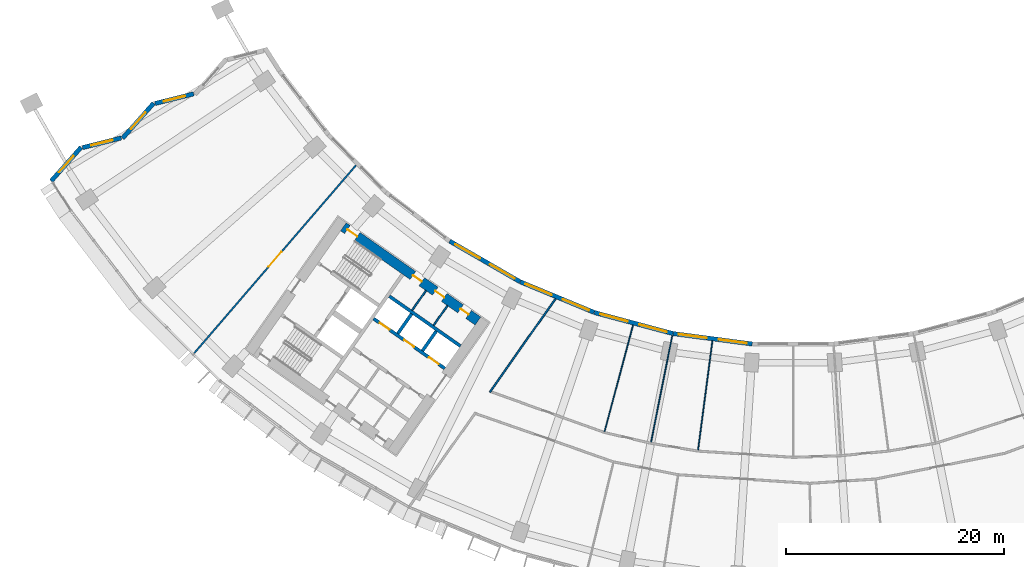
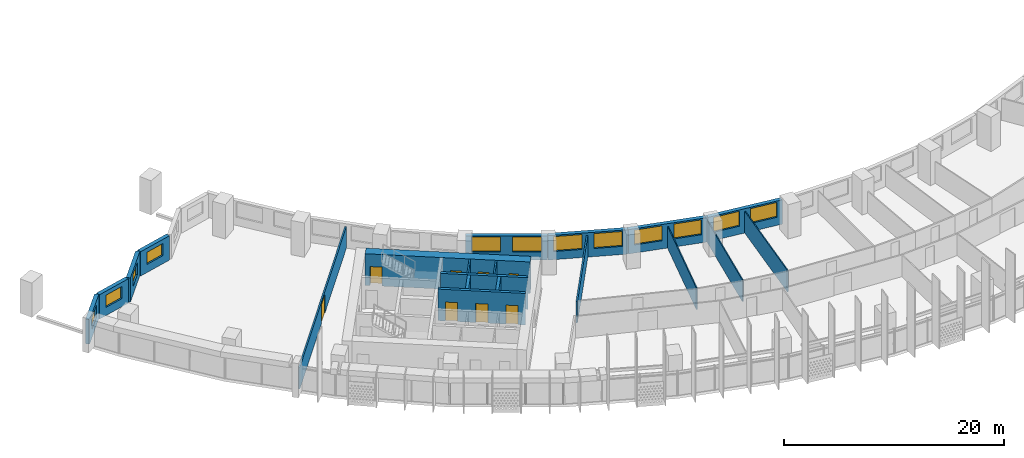
# One storey, part 4 of 33: 20 walls, 12 windows, 8 doors, 20 openings.
"""IFC4 building model written with IfcOpenShell, lengths in metres."""

from ifc_helpers import new_model, si_unit, direction, frame, frame_2d, origin, place, context, subcontext, project, spatial, rectangle, extrude, material, layer, layer_set, type_object, element, fill, save


model = new_model("IFC4")

# Units and contexts
model_context = context("Model", 3, precision=1e-05, world=origin(), true_north=direction((0.0, 1.0)))
body_context = subcontext(model_context, "Body", "Model", "MODEL_VIEW")
ifc_project = project(units=[si_unit("LENGTHUNIT", "METRE"), si_unit("AREAUNIT", "SQUARE_METRE"), si_unit("VOLUMEUNIT", "CUBIC_METRE"), si_unit("PLANEANGLEUNIT", "RADIAN"), si_unit("MASSUNIT", "GRAM", prefix="KILO")], contexts=[model_context])

# Site, building, storey
site_placement = place(None, origin())
site = spatial("IfcSite", under=ifc_project, at=site_placement, CompositionType="ELEMENT")
building_placement = place(site_placement, origin())
building = spatial("IfcBuilding", under=site, at=building_placement, Name="Qamariyya Broadcast Tower", CompositionType="ELEMENT")
storey_placement = place(building_placement, frame((0.0, 0.0, 78.5)))
storey = spatial("IfcBuildingStorey", under=building, at=storey_placement, Name="L16", CompositionType="ELEMENT", Elevation=78.5)

# Wall, openings, doors
ifc_material_1 = material(Name="Concrete C70/85", Category="concrete")
ifc_layer_1 = layer(ifc_material_1, 0.89990234375)
ifc_layer_set_1 = layer_set([ifc_layer_1], Name="Core wall 900 mm Concrete C70/85")
wall_type_1 = type_object("IfcWallType", Name="Core wall 900 mm Concrete C70/85", PredefinedType="SHEAR", material=ifc_layer_set_1)
wall_1_placement = place(storey_placement, frame((-28.8544921875, -54.32421875, 0.0), z_axis=(0.0, 0.0, 1.0), x_axis=(-0.819145767589, 0.573585400304, 0.0)))
wall_1 = element("IfcWall", 1, at=wall_1_placement, inside=storey, type_object=wall_type_1, Name="k-W-L16-WI", PredefinedType="SHEAR", context=body_context, shape_type="SweptSolid", body=[
    extrude(rectangle(XDim=15.04541015625, YDim=0.89990234375, at=frame_2d((7.522705078125, 0.0))), origin(), (0.0, 0.0, 1.0), 3.5),
])
opening_1_placement = place(wall_1_placement, frame((1.050048828125, 0.0, 0.0)))
opening_1 = element("IfcOpeningElement", 2, at=opening_1_placement, cuts=wall_1, Name="Opening KD5-W1", PredefinedType="OPENING", context=body_context, shape_type="SweptSolid", body=[
    extrude(rectangle(XDim=0.89990234375, YDim=2.10009765625, at=frame_2d((0.449951171875, 1.050048828125))), frame((0.0, 0.4599609375, 0.0), z_axis=(0.0, -1.0, 0.0), x_axis=(1.0, 0.0, 0.0)), (0.0, 0.0, 1.0), 0.919921875),
])
opening_2_placement = place(wall_1_placement, frame((3.77490234375, 0.0, 0.0)))
opening_2 = element("IfcOpeningElement", 3, at=opening_2_placement, cuts=wall_1, Name="Opening KD7-W1", PredefinedType="OPENING", context=body_context, shape_type="SweptSolid", body=[
    extrude(rectangle(XDim=1.0, YDim=2.10009765625, at=frame_2d((0.5, 1.050048828125))), frame((0.0, 0.4599609375, 0.0), z_axis=(0.0, -1.0, 0.0), x_axis=(1.0, 0.0, 0.0)), (0.0, 0.0, 1.0), 0.919921875),
])
opening_3_placement = place(wall_1_placement, frame((6.27490234375, 0.0, 0.0)))
opening_3 = element("IfcOpeningElement", 4, at=opening_3_placement, cuts=wall_1, Name="Opening KD6-W4", PredefinedType="OPENING", context=body_context, shape_type="SweptSolid", body=[
    extrude(rectangle(XDim=1.0, YDim=2.10009765625, at=frame_2d((0.5, 1.050048828125))), frame((0.0, 0.4599609375, 0.0), z_axis=(0.0, -1.0, 0.0), x_axis=(1.0, 0.0, 0.0)), (0.0, 0.0, 1.0), 0.919921875),
])
opening_4_placement = place(wall_1_placement, frame((13.495361328125, 0.0, 0.0)))
opening_4 = element("IfcOpeningElement", 5, at=opening_4_placement, cuts=wall_1, Name="Opening KD1-W1", PredefinedType="OPENING", context=body_context, shape_type="SweptSolid", body=[
    extrude(rectangle(XDim=1.10009765625, YDim=2.10009765625, at=frame_2d((0.550048828125, 1.050048828125))), frame((0.0, 0.4599609375, 0.0), z_axis=(0.0, -1.0, 0.0), x_axis=(1.0, 0.0, 0.0)), (0.0, 0.0, 1.0), 0.919921875),
])
ifc_material_2 = material(Name="Steel fire-resisting door leaf", Category="steel")
door_type_1 = type_object("IfcDoorType", Name="Accessible toilet door KD7", OperationType="SINGLE_SWING_LEFT", PredefinedType="DOOR", material=ifc_material_2)
door_1_placement = place(opening_2_placement, origin())
door_1 = element("IfcDoor", 6, at=door_1_placement, inside=storey, type_object=door_type_1, Name="k-W-L16-WI-D9", OperationType="SINGLE_SWING_RIGHT", OverallHeight=2.10009765625, OverallWidth=1.0, PredefinedType="DOOR", context=body_context, shape_type="SweptSolid", body=[
    extrude(rectangle(XDim=1.0, YDim=2.10009765625, at=frame_2d((0.5, 1.050048828125))), frame((0.0, 0.02490234375, 0.0), z_axis=(0.0, -1.0, 0.0), x_axis=(1.0, 0.0, 0.0)), (0.0, 0.0, 1.0), 0.050048828125),
])
fill(opening_2, door_1)
door_type_2 = type_object("IfcDoorType", Name="Core room door KD6", OperationType="SINGLE_SWING_LEFT", PredefinedType="DOOR", material=ifc_material_2)
door_2_placement = place(opening_3_placement, origin())
door_2 = element("IfcDoor", 7, at=door_2_placement, inside=storey, type_object=door_type_2, Name="k-W-L16-WI-D10", OperationType="SINGLE_SWING_LEFT", OverallHeight=2.10009765625, OverallWidth=1.0, PredefinedType="DOOR", context=body_context, shape_type="SweptSolid", body=[
    extrude(rectangle(XDim=1.0, YDim=2.10009765625, at=frame_2d((0.5, 1.050048828125))), frame((0.0, 0.02490234375, 0.0), z_axis=(0.0, -1.0, 0.0), x_axis=(1.0, 0.0, 0.0)), (0.0, 0.0, 1.0), 0.050048828125),
])
fill(opening_3, door_2)
door_type_3 = type_object("IfcDoorType", Name="Stair door KD1", OperationType="SINGLE_SWING_LEFT", PredefinedType="DOOR", material=ifc_material_2)
door_3_placement = place(opening_4_placement, origin())
door_3 = element("IfcDoor", 8, at=door_3_placement, inside=storey, type_object=door_type_3, Name="k-W-L16-WI-D17", OperationType="SINGLE_SWING_RIGHT", OverallHeight=2.10009765625, OverallWidth=1.10009765625, PredefinedType="DOOR", context=body_context, shape_type="SweptSolid", body=[
    extrude(rectangle(XDim=1.10009765625, YDim=2.10009765625, at=frame_2d((0.550048828125, 1.050048828125))), frame((0.0, 0.02490234375, 0.0), z_axis=(0.0, -1.0, 0.0), x_axis=(1.0, 0.0, 0.0)), (0.0, 0.0, 1.0), 0.050048828125),
])
fill(opening_4, door_3)
door_type_4 = type_object("IfcDoorType", Name="Toilet door KD5", OperationType="SINGLE_SWING_LEFT", PredefinedType="DOOR", material=ifc_material_2)
door_4_placement = place(opening_1_placement, origin())
door_4 = element("IfcDoor", 9, at=door_4_placement, inside=storey, type_object=door_type_4, Name="k-W-L16-WI-D8", OperationType="SINGLE_SWING_LEFT", OverallHeight=2.10009765625, OverallWidth=0.89990234375, PredefinedType="DOOR", context=body_context, shape_type="SweptSolid", body=[
    extrude(rectangle(XDim=0.89990234375, YDim=2.10009765625, at=frame_2d((0.449951171875, 1.050048828125))), frame((0.0, 0.02490234375, 0.0), z_axis=(0.0, -1.0, 0.0), x_axis=(1.0, 0.0, 0.0)), (0.0, 0.0, 1.0), 0.050048828125),
])
fill(opening_1, door_4)

# Wall, opening, door
ifc_material_3 = material(Name="Gypsum board partition")
ifc_layer_2 = layer(ifc_material_3, 0.14990234375)
ifc_layer_set_2 = layer_set([ifc_layer_2], Name="Corridor partition 150 EI 60")
wall_type_2 = type_object("IfcWallType", Name="Corridor partition 150 EI 60", PredefinedType="PARTITIONING", material=ifc_layer_set_2)
wall_2_placement = place(storey_placement, frame((-54.842041015625, -57.27685546875, 0.0), z_axis=(0.0, 0.0, 1.0), x_axis=(0.652471531746, 0.757813235739, 0.0)))
wall_2 = element("IfcWall", 10, at=wall_2_placement, inside=storey, type_object=wall_type_2, Name="Partition L16-001", PredefinedType="PARTITIONING", context=body_context, shape_type="SweptSolid", body=[
    extrude(rectangle(XDim=22.71484375, YDim=0.14990234375, at=frame_2d((11.357421875, 0.0))), origin(), (0.0, 0.0, 1.0), 2.39990234375),
])
opening_5_placement = place(wall_2_placement, frame((10.45751953125, 0.0, 0.0)))
opening_5 = element("IfcOpeningElement", 11, at=opening_5_placement, cuts=wall_2, Name="Opening L16-D14", PredefinedType="OPENING", context=body_context, shape_type="SweptSolid", body=[
    extrude(rectangle(XDim=1.800048828125, YDim=2.10009765625, at=frame_2d((0.89990234375, 1.050048828125))), frame((0.0, 0.0849609375, 0.0), z_axis=(0.0, -1.0, 0.0), x_axis=(1.0, 0.0, 0.0)), (0.0, 0.0, 1.0), 0.169921875),
])
ifc_material_4 = material(Name="Timber fire door leaf", Category="wood")
door_type_5 = type_object("IfcDoorType", Name="Double fire door 1800 x 2100 FD60", OperationType="NOTDEFINED", PredefinedType="DOOR", material=ifc_material_4)
door_5_placement = place(opening_5_placement, origin())
door_5 = element("IfcDoor", 12, at=door_5_placement, inside=storey, type_object=door_type_5, Name="Door L16-D14", OperationType="DOUBLE_DOOR_SINGLE_SWING", OverallHeight=2.10009765625, OverallWidth=1.800048828125, PredefinedType="DOOR", context=body_context, shape_type="SweptSolid", body=[
    extrude(rectangle(XDim=1.800048828125, YDim=2.10009765625, at=frame_2d((0.89990234375, 1.050048828125))), frame((0.0, 0.02490234375, 0.0), z_axis=(0.0, -1.0, 0.0), x_axis=(1.0, 0.0, 0.0)), (0.0, 0.0, 1.0), 0.050048828125),
])
fill(opening_5, door_5)

# Walls
wall_3_placement = place(storey_placement, frame((-21.748291015625, -52.2763671875, 0.0), z_axis=(0.0, 0.0, 1.0), x_axis=(-0.575419434668, -0.817858468322, 0.0)))
element("IfcWall", 13, at=wall_3_placement, inside=storey, type_object=wall_type_2, Name="Partition L16-005", PredefinedType="PARTITIONING", context=body_context, shape_type="SweptSolid", body=[
    extrude(rectangle(XDim=10.46484375, YDim=0.14990234375, at=frame_2d((5.232421875, 0.0))), origin(), (0.0, 0.0, 1.0), 2.39990234375),
])
ifc_material_5 = material(Name="Gypsum board partition on steel studs", Category="steel")
ifc_layer_3 = layer(ifc_material_5, 0.14990234375)
ifc_layer_set_3 = layer_set([ifc_layer_3], Name="Gypsum board partition 150 mm")
wall_type_3 = type_object("IfcWallType", Name="Gypsum board partition 150 mm", PredefinedType="PARTITIONING", material=ifc_layer_set_3)
wall_4_placement = place(storey_placement, frame((-32.9140625, -54.716796875, 0.0), z_axis=(0.0, 0.0, 1.0), x_axis=(0.573581496053, 0.819148501424, 0.0)))
element("IfcWall", 14, at=wall_4_placement, inside=storey, type_object=wall_type_3, Name="k-W-L16-NP310", PredefinedType="PARTITIONING", context=body_context, shape_type="SweptSolid", body=[
    extrude(rectangle(XDim=2.2001953125, YDim=0.14990234375, at=frame_2d((1.10009765625, 0.0))), origin(), (0.0, 0.0, 1.0), 3.5),
])
wall_5_placement = place(storey_placement, frame((-34.8798828125, -53.340087890625, 0.0), z_axis=(0.0, 0.0, 1.0), x_axis=(0.573559170999, 0.819164133348, 0.0)))
element("IfcWall", 15, at=wall_5_placement, inside=storey, type_object=wall_type_3, Name="k-W-L16-NP550", PredefinedType="PARTITIONING", context=body_context, shape_type="SweptSolid", body=[
    extrude(rectangle(XDim=2.19970703125, YDim=0.14990234375, at=frame_2d((1.099853515625, 0.0))), origin(), (0.0, 0.0, 1.0), 3.5),
])

# Wall, openings, doors
ifc_material_6 = material(Name="Concrete C60/75", Category="concrete")
ifc_layer_4 = layer(ifc_material_6, 0.300048828125)
ifc_layer_set_4 = layer_set([ifc_layer_4], Name="Lift shaft wall 300 mm Concrete C60/75")
wall_type_4 = type_object("IfcWallType", Name="Lift shaft wall 300 mm Concrete C60/75", PredefinedType="SOLIDWALL", material=ifc_layer_set_4)
wall_6_placement = place(storey_placement, frame((-31.89453125, -58.66552734375, 0.0), z_axis=(0.0, 0.0, 1.0), x_axis=(-0.819166993208, 0.573555086491, 0.0)))
wall_6 = element("IfcWall", 16, at=wall_6_placement, inside=storey, type_object=wall_type_4, Name="k-W-L16-NF0", PredefinedType="SOLIDWALL", context=body_context, shape_type="SweptSolid", body=[
    extrude(rectangle(XDim=7.9501953125, YDim=0.300048828125, at=frame_2d((3.97509765625, 0.0))), origin(), (0.0, 0.0, 1.0), 3.5),
])
opening_6_placement = place(wall_6_placement, frame((0.675048828125, 0.0, 0.0)))
opening_6 = element("IfcOpeningElement", 17, at=opening_6_placement, cuts=wall_6, Name="Opening LD", PredefinedType="OPENING", context=body_context, shape_type="SweptSolid", body=[
    extrude(rectangle(XDim=1.10009765625, YDim=2.10009765625, at=frame_2d((0.550048828125, 1.050048828125))), frame((0.0, 0.159912109375, 0.0), z_axis=(0.0, -1.0, 0.0), x_axis=(1.0, 0.0, 0.0)), (0.0, 0.0, 1.0), 0.320068359375),
])
opening_7_placement = place(wall_6_placement, frame((3.425048828125, 0.0, 0.0)))
opening_7 = element("IfcOpeningElement", 18, at=opening_7_placement, cuts=wall_6, Name="Opening LD", PredefinedType="OPENING", context=body_context, shape_type="SweptSolid", body=[
    extrude(rectangle(XDim=1.10009765625, YDim=2.10009765625, at=frame_2d((0.550048828125, 1.050048828125))), frame((0.0, 0.159912109375, 0.0), z_axis=(0.0, -1.0, 0.0), x_axis=(1.0, 0.0, 0.0)), (0.0, 0.0, 1.0), 0.320068359375),
])
opening_8_placement = place(wall_6_placement, frame((6.175048828125, 0.0, 0.0)))
opening_8 = element("IfcOpeningElement", 19, at=opening_8_placement, cuts=wall_6, Name="Opening LD", PredefinedType="OPENING", context=body_context, shape_type="SweptSolid", body=[
    extrude(rectangle(XDim=1.10009765625, YDim=2.10009765625, at=frame_2d((0.550048828125, 1.050048828125))), frame((0.0, 0.159912109375, 0.0), z_axis=(0.0, -1.0, 0.0), x_axis=(1.0, 0.0, 0.0)), (0.0, 0.0, 1.0), 0.320068359375),
])
door_type_6 = type_object("IfcDoorType", Name="Lift landing door LD", OperationType="DOUBLE_DOOR_SLIDING", PredefinedType="DOOR", material=ifc_material_2)
door_6_placement = place(opening_6_placement, origin())
door_6 = element("IfcDoor", 20, at=door_6_placement, inside=storey, type_object=door_type_6, Name="k-W-L16-NF0-D2", OperationType="DOUBLE_DOOR_SLIDING", OverallHeight=2.10009765625, OverallWidth=1.10009765625, PredefinedType="DOOR", context=body_context, shape_type="SweptSolid", body=[
    extrude(rectangle(XDim=1.10009765625, YDim=2.10009765625, at=frame_2d((0.550048828125, 1.050048828125))), frame((0.0, 0.02490234375, 0.0), z_axis=(0.0, -1.0, 0.0), x_axis=(1.0, 0.0, 0.0)), (0.0, 0.0, 1.0), 0.050048828125),
])
fill(opening_6, door_6)
door_7_placement = place(opening_7_placement, origin())
door_7 = element("IfcDoor", 21, at=door_7_placement, inside=storey, type_object=door_type_6, Name="k-W-L16-NF0-D3", OperationType="DOUBLE_DOOR_SLIDING", OverallHeight=2.10009765625, OverallWidth=1.10009765625, PredefinedType="DOOR", context=body_context, shape_type="SweptSolid", body=[
    extrude(rectangle(XDim=1.10009765625, YDim=2.10009765625, at=frame_2d((0.550048828125, 1.050048828125))), frame((0.0, 0.02490234375, 0.0), z_axis=(0.0, -1.0, 0.0), x_axis=(1.0, 0.0, 0.0)), (0.0, 0.0, 1.0), 0.050048828125),
])
fill(opening_7, door_7)
door_8_placement = place(opening_8_placement, origin())
door_8 = element("IfcDoor", 22, at=door_8_placement, inside=storey, type_object=door_type_6, Name="k-W-L16-NF0-D4", OperationType="DOUBLE_DOOR_SLIDING", OverallHeight=2.10009765625, OverallWidth=1.10009765625, PredefinedType="DOOR", context=body_context, shape_type="SweptSolid", body=[
    extrude(rectangle(XDim=1.10009765625, YDim=2.10009765625, at=frame_2d((0.550048828125, 1.050048828125))), frame((0.0, 0.02490234375, 0.0), z_axis=(0.0, -1.0, 0.0), x_axis=(1.0, 0.0, 0.0)), (0.0, 0.0, 1.0), 0.050048828125),
])
fill(opening_8, door_8)

# Walls
wall_7_placement = place(storey_placement, frame((-30.460693359375, -56.61767578125, 0.0), z_axis=(0.0, 0.0, 1.0), x_axis=(-0.819142461705, 0.573590121456, 0.0)))
element("IfcWall", 23, at=wall_7_placement, inside=storey, type_object=wall_type_4, Name="k-W-L16-NB0", PredefinedType="SOLIDWALL", context=body_context, shape_type="SweptSolid", body=[
    extrude(rectangle(XDim=7.949951171875, YDim=0.300048828125, at=frame_2d((3.97509765625, 0.0))), origin(), (0.0, 0.0, 1.0), 3.5),
])
wall_8_placement = place(storey_placement, frame((-33.9384765625, -57.051513671875, 0.0), z_axis=(0.0, 0.0, 1.0), x_axis=(0.573581496053, 0.819148501424, 0.0)))
element("IfcWall", 24, at=wall_8_placement, inside=storey, type_object=wall_type_4, Name="k-W-L16-ND0", PredefinedType="SOLIDWALL", context=body_context, shape_type="SweptSolid", body=[
    extrude(rectangle(XDim=2.2001953125, YDim=0.300048828125, at=frame_2d((1.10009765625, 0.0))), origin(), (0.0, 0.0, 1.0), 3.5),
])
wall_9_placement = place(storey_placement, frame((-36.19091796875, -55.47412109375, 0.0), z_axis=(0.0, 0.0, 1.0), x_axis=(0.573507030513, 0.819200638399, 0.0)))
element("IfcWall", 25, at=wall_9_placement, inside=storey, type_object=wall_type_4, Name="k-W-L16-ND1", PredefinedType="SOLIDWALL", context=body_context, shape_type="SweptSolid", body=[
    extrude(rectangle(XDim=2.199951171875, YDim=0.300048828125, at=frame_2d((1.10009765625, 0.0))), origin(), (0.0, 0.0, 1.0), 3.5),
])
ifc_layer_5 = layer(ifc_material_3, 0.10009765625)
ifc_layer_set_5 = layer_set([ifc_layer_5], Name="Partition 100")
wall_type_5 = type_object("IfcWallType", Name="Partition 100", PredefinedType="PARTITIONING", material=ifc_layer_set_5)
wall_10_placement = place(storey_placement, frame((-14.65673828125, -54.69970703125, 0.0), z_axis=(0.0, 0.0, 1.0), x_axis=(-0.258825935876, -0.965923979885, 0.0)))
element("IfcWall", 26, at=wall_10_placement, inside=storey, type_object=wall_type_5, Name="Partition L16-009", PredefinedType="PARTITIONING", context=body_context, shape_type="SweptSolid", body=[
    extrude(rectangle(XDim=10.095703125, YDim=0.10009765625, at=frame_2d((5.0478515625, 0.0))), origin(), (0.0, 0.0, 1.0), 2.39990234375),
])
wall_11_placement = place(storey_placement, frame((-11.0712890625, -55.65966796875, 0.0), z_axis=(0.0, 0.0, 1.0), x_axis=(-0.195094645032, -0.980784420492, 0.0)))
element("IfcWall", 27, at=wall_11_placement, inside=storey, type_object=wall_type_5, Name="Partition L16-012", PredefinedType="PARTITIONING", context=body_context, shape_type="SweptSolid", body=[
    extrude(rectangle(XDim=9.974853515625, YDim=0.10009765625, at=frame_2d((4.9873046875, 0.0))), origin(), (0.0, 0.0, 1.0), 2.39990234375),
])
wall_12_placement = place(storey_placement, frame((-7.3916015625, -56.144775390625, 0.0), z_axis=(0.0, 0.0, 1.0), x_axis=(-0.130538336764, -0.991443262439, 0.0)))
element("IfcWall", 28, at=wall_12_placement, inside=storey, type_object=wall_type_5, Name="Partition L16-015", PredefinedType="PARTITIONING", context=body_context, shape_type="SweptSolid", body=[
    extrude(rectangle(XDim=10.095703125, YDim=0.10009765625, at=frame_2d((5.0478515625, 0.0))), origin(), (0.0, 0.0, 1.0), 2.39990234375),
])

# Wall, opening, window
ifc_material_7 = material(Name="Terracotta", Category="masonry")
ifc_layer_6 = layer(ifc_material_7, 0.39990234375)
ifc_layer_set_6 = layer_set([ifc_layer_6], Name="Terracotta clad wall 400")
wall_type_6 = type_object("IfcWallType", Name="Terracotta clad wall 400", PredefinedType="SOLIDWALL", material=ifc_layer_set_6)
wall_13_placement = place(storey_placement, frame((-54.8818359375, -33.52490234375, 0.0), z_axis=(0.0, 0.0, 1.0), x_axis=(-0.969984807543, -0.243165526208, 0.0)))
wall_13 = element("IfcWall", 29, at=wall_13_placement, inside=storey, type_object=wall_type_6, Name="e-wl-L16-capW2", PredefinedType="SOLIDWALL", context=body_context, shape_type="SweptSolid", body=[
    extrude(rectangle(XDim=3.6474609375, YDim=0.39990234375, at=frame_2d((1.82373046875, 0.0))), origin(), (0.0, 0.0, 1.0), 2.699951171875),
])
opening_9_placement = place(wall_13_placement, frame((0.82373046875, 0.0, 0.89990234375)))
opening_9 = element("IfcOpeningElement", 30, at=opening_9_placement, cuts=wall_13, Name="Opening W4", PredefinedType="OPENING", context=body_context, shape_type="SweptSolid", body=[
    extrude(rectangle(XDim=2.0, YDim=1.35009765625, at=frame_2d((1.0, 0.675048828125))), frame((0.0, 0.2099609375, 0.0), z_axis=(0.0, -1.0, 0.0), x_axis=(1.0, 0.0, 0.0)), (0.0, 0.0, 1.0), 0.419921875),
])
ifc_material_8 = material(Name="Clear low-e double glazed unit in aluminium frame", Category="aluminium")
window_type_1 = type_object("IfcWindowType", Name="Horn bay window 2000 x 1350", PartitioningType="SINGLE_PANEL", PredefinedType="WINDOW", material=ifc_material_8)
window_1_placement = place(opening_9_placement, origin())
window_1 = element("IfcWindow", 31, at=window_1_placement, inside=storey, type_object=window_type_1, Name="e-w-L16-capW2", OverallHeight=1.35009765625, OverallWidth=2.0, PartitioningType="SINGLE_PANEL", PredefinedType="WINDOW", context=body_context, shape_type="SweptSolid", body=[
    extrude(rectangle(XDim=2.0, YDim=1.35009765625, at=frame_2d((1.0, 0.675048828125))), frame((0.0, 0.030029296875, 0.0), z_axis=(0.0, -1.0, 0.0), x_axis=(1.0, 0.0, 0.0)), (0.0, 0.0, 1.0), 0.06005859375),
])
fill(opening_9, window_1)

wall_14_placement = place(storey_placement, frame((-58.544189453125, -34.37890625, 0.0), z_axis=(0.0, 0.0, 1.0), x_axis=(-0.663756718881, -0.747948539767, 0.0)))
wall_14 = element("IfcWall", 32, at=wall_14_placement, inside=storey, type_object=wall_type_6, Name="e-wl-L16-capW3", PredefinedType="SOLIDWALL", context=body_context, shape_type="SweptSolid", body=[
    extrude(rectangle(XDim=4.294677734375, YDim=0.39990234375, at=frame_2d((2.1474609375, 0.0))), origin(), (0.0, 0.0, 1.0), 2.699951171875),
])
opening_10_placement = place(wall_14_placement, frame((1.147216796875, 0.0, 0.89990234375)))
opening_10 = element("IfcOpeningElement", 33, at=opening_10_placement, cuts=wall_14, Name="Opening W4", PredefinedType="OPENING", context=body_context, shape_type="SweptSolid", body=[
    extrude(rectangle(XDim=2.0, YDim=1.35009765625, at=frame_2d((1.0, 0.675048828125))), frame((0.0, 0.2099609375, 0.0), z_axis=(0.0, -1.0, 0.0), x_axis=(1.0, 0.0, 0.0)), (0.0, 0.0, 1.0), 0.419921875),
])
window_2_placement = place(opening_10_placement, origin())
window_2 = element("IfcWindow", 34, at=window_2_placement, inside=storey, type_object=window_type_1, Name="e-w-L16-capW3", OverallHeight=1.35009765625, OverallWidth=2.0, PartitioningType="SINGLE_PANEL", PredefinedType="WINDOW", context=body_context, shape_type="SweptSolid", body=[
    extrude(rectangle(XDim=2.0, YDim=1.35009765625, at=frame_2d((1.0, 0.675048828125))), frame((0.0, 0.030029296875, 0.0), z_axis=(0.0, -1.0, 0.0), x_axis=(1.0, 0.0, 0.0)), (0.0, 0.0, 1.0), 0.06005859375),
])
fill(opening_10, window_2)

wall_15_placement = place(storey_placement, frame((-61.51904296875, -37.558349609375, 0.0), z_axis=(0.0, 0.0, 1.0), x_axis=(-0.969988807302, -0.243149570652, 0.0)))
wall_15 = element("IfcWall", 35, at=wall_15_placement, inside=storey, type_object=wall_type_6, Name="e-wl-L16-capW4", PredefinedType="SOLIDWALL", context=body_context, shape_type="SweptSolid", body=[
    extrude(rectangle(XDim=3.64892578125, YDim=0.39990234375, at=frame_2d((1.824462890625, 0.0))), origin(), (0.0, 0.0, 1.0), 2.699951171875),
])
opening_11_placement = place(wall_15_placement, frame((0.824462890625, 0.0, 0.89990234375)))
opening_11 = element("IfcOpeningElement", 36, at=opening_11_placement, cuts=wall_15, Name="Opening W4", PredefinedType="OPENING", context=body_context, shape_type="SweptSolid", body=[
    extrude(rectangle(XDim=2.0, YDim=1.35009765625, at=frame_2d((1.0, 0.675048828125))), frame((0.0, 0.2099609375, 0.0), z_axis=(0.0, -1.0, 0.0), x_axis=(1.0, 0.0, 0.0)), (0.0, 0.0, 1.0), 0.419921875),
])
window_3_placement = place(opening_11_placement, origin())
window_3 = element("IfcWindow", 37, at=window_3_placement, inside=storey, type_object=window_type_1, Name="e-w-L16-capW4", OverallHeight=1.35009765625, OverallWidth=2.0, PartitioningType="SINGLE_PANEL", PredefinedType="WINDOW", context=body_context, shape_type="SweptSolid", body=[
    extrude(rectangle(XDim=2.0, YDim=1.35009765625, at=frame_2d((1.0, 0.675048828125))), frame((0.0, 0.030029296875, 0.0), z_axis=(0.0, -1.0, 0.0), x_axis=(1.0, 0.0, 0.0)), (0.0, 0.0, 1.0), 0.06005859375),
])
fill(opening_11, window_3)

wall_16_placement = place(storey_placement, frame((-65.182373046875, -38.412841796875, 0.0), z_axis=(0.0, 0.0, 1.0), x_axis=(-0.663705482517, -0.747994005642, 0.0)))
wall_16 = element("IfcWall", 38, at=wall_16_placement, inside=storey, type_object=wall_type_6, Name="e-wl-L16-capW5", PredefinedType="SOLIDWALL", context=body_context, shape_type="SweptSolid", body=[
    extrude(rectangle(XDim=4.12158203125, YDim=0.39990234375, at=frame_2d((2.060791015625, 0.0))), origin(), (0.0, 0.0, 1.0), 2.699951171875),
])
opening_12_placement = place(wall_16_placement, frame((1.060791015625, 0.0, 0.89990234375)))
opening_12 = element("IfcOpeningElement", 39, at=opening_12_placement, cuts=wall_16, Name="Opening W4", PredefinedType="OPENING", context=body_context, shape_type="SweptSolid", body=[
    extrude(rectangle(XDim=2.0, YDim=1.35009765625, at=frame_2d((1.0, 0.675048828125))), frame((0.0, 0.2099609375, 0.0), z_axis=(0.0, -1.0, 0.0), x_axis=(1.0, 0.0, 0.0)), (0.0, 0.0, 1.0), 0.419921875),
])
window_4_placement = place(opening_12_placement, origin())
window_4 = element("IfcWindow", 40, at=window_4_placement, inside=storey, type_object=window_type_1, Name="e-w-L16-capW5", OverallHeight=1.35009765625, OverallWidth=2.0, PartitioningType="SINGLE_PANEL", PredefinedType="WINDOW", context=body_context, shape_type="SweptSolid", body=[
    extrude(rectangle(XDim=2.0, YDim=1.35009765625, at=frame_2d((1.0, 0.675048828125))), frame((0.0, 0.030029296875, 0.0), z_axis=(0.0, -1.0, 0.0), x_axis=(1.0, 0.0, 0.0)), (0.0, 0.0, 1.0), 0.06005859375),
])
fill(opening_12, window_4)

# Wall, openings, windows
wall_17_placement = place(storey_placement, frame((-24.989990234375, -50.73095703125, 0.0), z_axis=(0.0, 0.0, 1.0), x_axis=(-0.866037641005, 0.499978803913, 0.0)))
wall_17 = element("IfcWall", 41, at=wall_17_placement, inside=storey, type_object=wall_type_6, Name="e-wl-L16-in40", PredefinedType="SOLIDWALL", context=body_context, shape_type="SweptSolid", body=[
    extrude(rectangle(XDim=7.447021484375, YDim=0.39990234375, at=frame_2d((3.7236328125, 0.0))), origin(), (0.0, 0.0, 1.0), 2.699951171875),
])
opening_13_placement = place(wall_17_placement, frame((4.266357421875, 0.0, 0.89990234375)))
opening_13 = element("IfcOpeningElement", 42, at=opening_13_placement, cuts=wall_17, Name="Opening W1", PredefinedType="OPENING", context=body_context, shape_type="SweptSolid", body=[
    extrude(rectangle(XDim=2.60009765625, YDim=1.64990234375, at=frame_2d((1.300048828125, 0.824951171875))), frame((0.0, 0.2099609375, 0.0), z_axis=(0.0, -1.0, 0.0), x_axis=(1.0, 0.0, 0.0)), (0.0, 0.0, 1.0), 0.419921875),
])
opening_14_placement = place(wall_17_placement, frame((0.580810546875, 0.0, 0.89990234375)))
opening_14 = element("IfcOpeningElement", 43, at=opening_14_placement, cuts=wall_17, Name="Opening W1", PredefinedType="OPENING", context=body_context, shape_type="SweptSolid", body=[
    extrude(rectangle(XDim=2.60009765625, YDim=1.64990234375, at=frame_2d((1.300048828125, 0.824951171875))), frame((0.0, 0.2099609375, 0.0), z_axis=(0.0, -1.0, 0.0), x_axis=(1.0, 0.0, 0.0)), (0.0, 0.0, 1.0), 0.419921875),
])
window_type_2 = type_object("IfcWindowType", Name="Ribbon window 2600 x 1650", PartitioningType="SINGLE_PANEL", PredefinedType="WINDOW", material=ifc_material_8)
window_5_placement = place(opening_13_placement, origin())
window_5 = element("IfcWindow", 44, at=window_5_placement, inside=storey, type_object=window_type_2, Name="e-w-L16-in04-0", OverallHeight=1.64990234375, OverallWidth=2.60009765625, PartitioningType="SINGLE_PANEL", PredefinedType="WINDOW", context=body_context, shape_type="SweptSolid", body=[
    extrude(rectangle(XDim=2.60009765625, YDim=1.64990234375, at=frame_2d((1.300048828125, 0.824951171875))), frame((0.0, 0.030029296875, 0.0), z_axis=(0.0, -1.0, 0.0), x_axis=(1.0, 0.0, 0.0)), (0.0, 0.0, 1.0), 0.06005859375),
])
fill(opening_13, window_5)
window_6_placement = place(opening_14_placement, origin())
window_6 = element("IfcWindow", 45, at=window_6_placement, inside=storey, type_object=window_type_2, Name="e-w-L16-in04-1", OverallHeight=1.64990234375, OverallWidth=2.60009765625, PartitioningType="SINGLE_PANEL", PredefinedType="WINDOW", context=body_context, shape_type="SweptSolid", body=[
    extrude(rectangle(XDim=2.60009765625, YDim=1.64990234375, at=frame_2d((1.300048828125, 0.824951171875))), frame((0.0, 0.030029296875, 0.0), z_axis=(0.0, -1.0, 0.0), x_axis=(1.0, 0.0, 0.0)), (0.0, 0.0, 1.0), 0.06005859375),
])
fill(opening_14, window_6)

wall_18_placement = place(storey_placement, frame((-18.224365234375, -53.52978515625, 0.0), z_axis=(0.0, 0.0, 1.0), x_axis=(-0.923891626322, 0.382654234018, 0.0)))
wall_18 = element("IfcWall", 46, at=wall_18_placement, inside=storey, type_object=wall_type_6, Name="e-wl-L16-in50", PredefinedType="SOLIDWALL", context=body_context, shape_type="SweptSolid", body=[
    extrude(rectangle(XDim=7.295654296875, YDim=0.39990234375, at=frame_2d((3.64794921875, 0.0))), origin(), (0.0, 0.0, 1.0), 2.699951171875),
])
opening_15_placement = place(wall_18_placement, frame((4.190673828125, 0.0, 0.89990234375)))
opening_15 = element("IfcOpeningElement", 47, at=opening_15_placement, cuts=wall_18, Name="Opening W1", PredefinedType="OPENING", context=body_context, shape_type="SweptSolid", body=[
    extrude(rectangle(XDim=2.60009765625, YDim=1.64990234375, at=frame_2d((1.300048828125, 0.824951171875))), frame((0.0, 0.2099609375, 0.0), z_axis=(0.0, -1.0, 0.0), x_axis=(1.0, 0.0, 0.0)), (0.0, 0.0, 1.0), 0.419921875),
])
opening_16_placement = place(wall_18_placement, frame((0.505126953125, 0.0, 0.89990234375)))
opening_16 = element("IfcOpeningElement", 48, at=opening_16_placement, cuts=wall_18, Name="Opening W1", PredefinedType="OPENING", context=body_context, shape_type="SweptSolid", body=[
    extrude(rectangle(XDim=2.60009765625, YDim=1.64990234375, at=frame_2d((1.300048828125, 0.824951171875))), frame((0.0, 0.2099609375, 0.0), z_axis=(0.0, -1.0, 0.0), x_axis=(1.0, 0.0, 0.0)), (0.0, 0.0, 1.0), 0.419921875),
])
window_7_placement = place(opening_15_placement, origin())
window_7 = element("IfcWindow", 49, at=window_7_placement, inside=storey, type_object=window_type_2, Name="e-w-L16-in05-0", OverallHeight=1.64990234375, OverallWidth=2.60009765625, PartitioningType="SINGLE_PANEL", PredefinedType="WINDOW", context=body_context, shape_type="SweptSolid", body=[
    extrude(rectangle(XDim=2.60009765625, YDim=1.64990234375, at=frame_2d((1.300048828125, 0.824951171875))), frame((0.0, 0.030029296875, 0.0), z_axis=(0.0, -1.0, 0.0), x_axis=(1.0, 0.0, 0.0)), (0.0, 0.0, 1.0), 0.06005859375),
])
fill(opening_15, window_7)
window_8_placement = place(opening_16_placement, origin())
window_8 = element("IfcWindow", 50, at=window_8_placement, inside=storey, type_object=window_type_2, Name="e-w-L16-in05-1", OverallHeight=1.64990234375, OverallWidth=2.60009765625, PartitioningType="SINGLE_PANEL", PredefinedType="WINDOW", context=body_context, shape_type="SweptSolid", body=[
    extrude(rectangle(XDim=2.60009765625, YDim=1.64990234375, at=frame_2d((1.300048828125, 0.824951171875))), frame((0.0, 0.030029296875, 0.0), z_axis=(0.0, -1.0, 0.0), x_axis=(1.0, 0.0, 0.0)), (0.0, 0.0, 1.0), 0.06005859375),
])
fill(opening_16, window_8)

wall_19_placement = place(storey_placement, frame((-11.00830078125, -55.47021484375, 0.0), z_axis=(0.0, 0.0, 1.0), x_axis=(-0.965924637935, 0.25882348006, 0.0)))
wall_19 = element("IfcWall", 51, at=wall_19_placement, inside=storey, type_object=wall_type_6, Name="e-wl-L16-in60", PredefinedType="SOLIDWALL", context=body_context, shape_type="SweptSolid", body=[
    extrude(rectangle(XDim=7.447021484375, YDim=0.39990234375, at=frame_2d((3.7236328125, 0.0))), origin(), (0.0, 0.0, 1.0), 2.699951171875),
])
opening_17_placement = place(wall_19_placement, frame((4.266357421875, 0.0, 0.89990234375)))
opening_17 = element("IfcOpeningElement", 52, at=opening_17_placement, cuts=wall_19, Name="Opening W1", PredefinedType="OPENING", context=body_context, shape_type="SweptSolid", body=[
    extrude(rectangle(XDim=2.60009765625, YDim=1.64990234375, at=frame_2d((1.300048828125, 0.824951171875))), frame((0.0, 0.2099609375, 0.0), z_axis=(0.0, -1.0, 0.0), x_axis=(1.0, 0.0, 0.0)), (0.0, 0.0, 1.0), 0.419921875),
])
opening_18_placement = place(wall_19_placement, frame((0.580810546875, 0.0, 0.89990234375)))
opening_18 = element("IfcOpeningElement", 53, at=opening_18_placement, cuts=wall_19, Name="Opening W1", PredefinedType="OPENING", context=body_context, shape_type="SweptSolid", body=[
    extrude(rectangle(XDim=2.60009765625, YDim=1.64990234375, at=frame_2d((1.300048828125, 0.824951171875))), frame((0.0, 0.2099609375, 0.0), z_axis=(0.0, -1.0, 0.0), x_axis=(1.0, 0.0, 0.0)), (0.0, 0.0, 1.0), 0.419921875),
])
window_9_placement = place(opening_17_placement, origin())
window_9 = element("IfcWindow", 54, at=window_9_placement, inside=storey, type_object=window_type_2, Name="e-w-L16-in06-0", OverallHeight=1.64990234375, OverallWidth=2.60009765625, PartitioningType="SINGLE_PANEL", PredefinedType="WINDOW", context=body_context, shape_type="SweptSolid", body=[
    extrude(rectangle(XDim=2.60009765625, YDim=1.64990234375, at=frame_2d((1.300048828125, 0.824951171875))), frame((0.0, 0.030029296875, 0.0), z_axis=(0.0, -1.0, 0.0), x_axis=(1.0, 0.0, 0.0)), (0.0, 0.0, 1.0), 0.06005859375),
])
fill(opening_17, window_9)
window_10_placement = place(opening_18_placement, origin())
window_10 = element("IfcWindow", 55, at=window_10_placement, inside=storey, type_object=window_type_2, Name="e-w-L16-in06-1", OverallHeight=1.64990234375, OverallWidth=2.60009765625, PartitioningType="SINGLE_PANEL", PredefinedType="WINDOW", context=body_context, shape_type="SweptSolid", body=[
    extrude(rectangle(XDim=2.60009765625, YDim=1.64990234375, at=frame_2d((1.300048828125, 0.824951171875))), frame((0.0, 0.030029296875, 0.0), z_axis=(0.0, -1.0, 0.0), x_axis=(1.0, 0.0, 0.0)), (0.0, 0.0, 1.0), 0.06005859375),
])
fill(opening_18, window_10)

wall_20_placement = place(storey_placement, frame((-3.748779296875, -56.422607421875, 0.0), z_axis=(0.0, 0.0, 1.0), x_axis=(-0.99144746031, 0.130506449818, 0.0)))
wall_20 = element("IfcWall", 56, at=wall_20_placement, inside=storey, type_object=wall_type_6, Name="e-wl-L16-in70", PredefinedType="SOLIDWALL", context=body_context, shape_type="SweptSolid", body=[
    extrude(rectangle(XDim=7.2958984375, YDim=0.39990234375, at=frame_2d((3.64794921875, 0.0))), origin(), (0.0, 0.0, 1.0), 2.699951171875),
])
opening_19_placement = place(wall_20_placement, frame((4.190673828125, 0.0, 0.89990234375)))
opening_19 = element("IfcOpeningElement", 57, at=opening_19_placement, cuts=wall_20, Name="Opening W1", PredefinedType="OPENING", context=body_context, shape_type="SweptSolid", body=[
    extrude(rectangle(XDim=2.60009765625, YDim=1.64990234375, at=frame_2d((1.300048828125, 0.824951171875))), frame((0.0, 0.2099609375, 0.0), z_axis=(0.0, -1.0, 0.0), x_axis=(1.0, 0.0, 0.0)), (0.0, 0.0, 1.0), 0.419921875),
])
opening_20_placement = place(wall_20_placement, frame((0.505126953125, 0.0, 0.89990234375)))
opening_20 = element("IfcOpeningElement", 58, at=opening_20_placement, cuts=wall_20, Name="Opening W1", PredefinedType="OPENING", context=body_context, shape_type="SweptSolid", body=[
    extrude(rectangle(XDim=2.60009765625, YDim=1.64990234375, at=frame_2d((1.300048828125, 0.824951171875))), frame((0.0, 0.2099609375, 0.0), z_axis=(0.0, -1.0, 0.0), x_axis=(1.0, 0.0, 0.0)), (0.0, 0.0, 1.0), 0.419921875),
])
window_11_placement = place(opening_19_placement, origin())
window_11 = element("IfcWindow", 59, at=window_11_placement, inside=storey, type_object=window_type_2, Name="e-w-L16-in07-0", OverallHeight=1.64990234375, OverallWidth=2.60009765625, PartitioningType="SINGLE_PANEL", PredefinedType="WINDOW", context=body_context, shape_type="SweptSolid", body=[
    extrude(rectangle(XDim=2.60009765625, YDim=1.64990234375, at=frame_2d((1.300048828125, 0.824951171875))), frame((0.0, 0.030029296875, 0.0), z_axis=(0.0, -1.0, 0.0), x_axis=(1.0, 0.0, 0.0)), (0.0, 0.0, 1.0), 0.06005859375),
])
fill(opening_19, window_11)
window_12_placement = place(opening_20_placement, origin())
window_12 = element("IfcWindow", 60, at=window_12_placement, inside=storey, type_object=window_type_2, Name="e-w-L16-in07-1", OverallHeight=1.64990234375, OverallWidth=2.60009765625, PartitioningType="SINGLE_PANEL", PredefinedType="WINDOW", context=body_context, shape_type="SweptSolid", body=[
    extrude(rectangle(XDim=2.60009765625, YDim=1.64990234375, at=frame_2d((1.300048828125, 0.824951171875))), frame((0.0, 0.030029296875, 0.0), z_axis=(0.0, -1.0, 0.0), x_axis=(1.0, 0.0, 0.0)), (0.0, 0.0, 1.0), 0.06005859375),
])
fill(opening_20, window_12)

save(model, "model.ifc")
